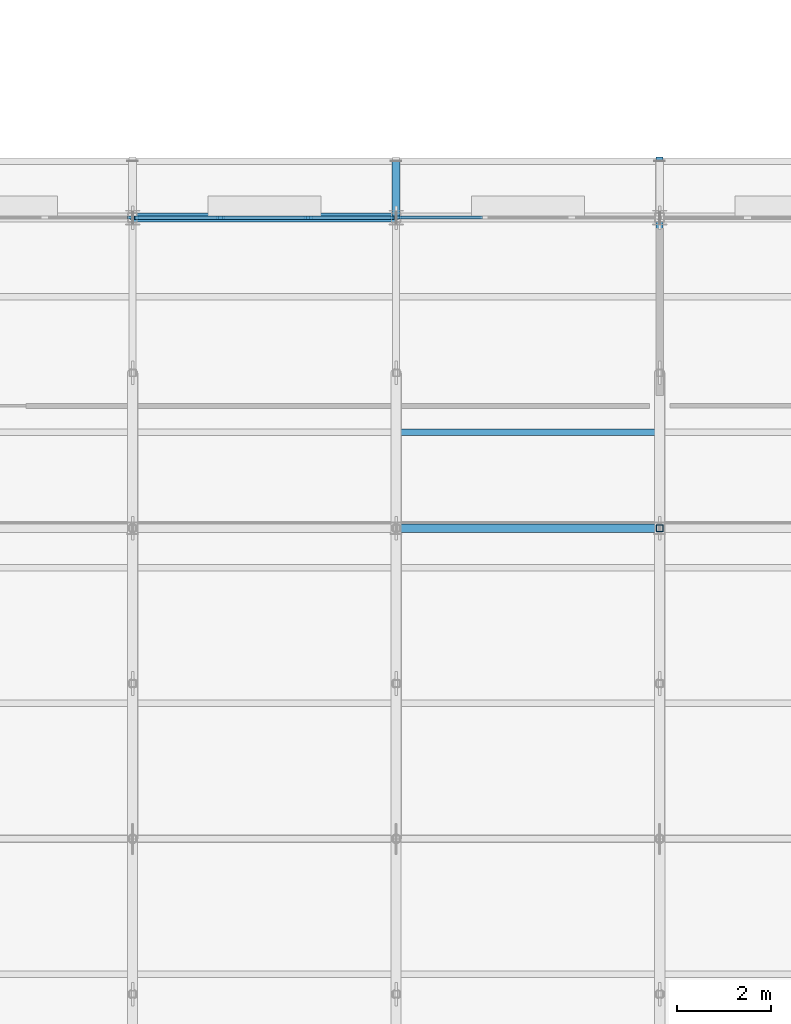
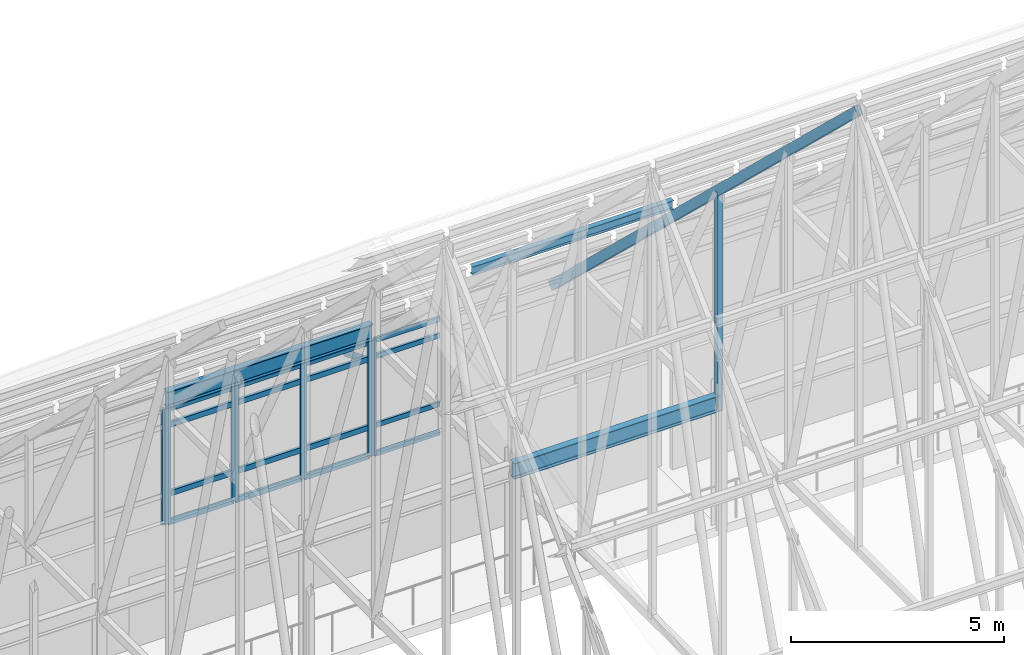
# One storey, part 39 of 144: 26 members, 2 beams, 3 elements without a shape of their own.
"""IFC4 building model written with IfcOpenShell, lengths in metres."""

from ifc_helpers import new_model, si_unit, direction, frame, origin, origin_2d, place, context, subcontext, project, spatial, rectangle, hollow_rectangle, hollow_circle, i_section, extrude, material, layer, layer_set, material_profile, profile_set, type_object, element, aggregate, save


model = new_model("IFC4")

# Units and contexts
model_context = context("Model", 3, precision=1e-05, world=origin(), true_north=direction((0.0, 1.0)))
body_context = subcontext(model_context, "Body", "Model", "MODEL_VIEW")
ifc_project = project(units=[si_unit("LENGTHUNIT", "METRE"), si_unit("AREAUNIT", "SQUARE_METRE"), si_unit("VOLUMEUNIT", "CUBIC_METRE"), si_unit("PLANEANGLEUNIT", "RADIAN"), si_unit("MASSUNIT", "GRAM", prefix="KILO")], contexts=[model_context])

# Site, building, storey
site_placement = place(None, origin())
site = spatial("IfcSite", under=ifc_project, at=site_placement, CompositionType="ELEMENT")
building_placement = place(site_placement, origin())
building = spatial("IfcBuilding", under=site, at=building_placement, Name="Trelmorton Wharf Fire Station", CompositionType="ELEMENT")
storey_placement = place(building_placement, frame((0.0, 0.0, 5.39990234375)))
storey = spatial("IfcBuildingStorey", under=building, at=storey_placement, Name="L01", CompositionType="ELEMENT", Elevation=5.39990234375)

# Curtain wall, member
ifc_material_1 = material(Name="Anodised aluminium AW-6063", Category="aluminium")
ifc_layer = layer(ifc_material_1, 0.175048828125)
ifc_layer_set = layer_set([ifc_layer], Name="Anodised aluminium AW-6063")
curtain_wall_type = type_object("IfcCurtainWallType", Name="CW_CHIC_B", PredefinedType="USERDEFINED", material=ifc_layer_set)
curtain_wall_1_placement = place(storey_placement, origin())
curtain_wall_1 = element("IfcCurtainWall", 1, at=curtain_wall_1_placement, inside=storey, type_object=curtain_wall_type, Name="CW-V1-L01-011", ObjectType="CHICAGO BAY CURTAIN WALL", PredefinedType="USERDEFINED")
ifc_material_profile_1 = material_profile(ifc_material_1, rectangle(XDim=0.06494140625, YDim=0.159912109375, at=origin_2d()), Name="ALU-65x160")
ifc_profile_set_1 = profile_set([ifc_material_profile_1], Name="Anodised aluminium AW-6063")
member_type_1 = type_object("IfcMemberType", Name="CWM_65x160", PredefinedType="MULLION", material=ifc_profile_set_1)
member_1_placement = place(storey_placement, frame((17.56494140625, 34.199951171875, 0.0), z_axis=(0.0, 0.0, 1.0), x_axis=(0.0, 1.0, 0.0)))
member_1 = element("IfcMember", 2, at=member_1_placement, type_object=member_type_1, Name="CW2 mullion 4", PredefinedType="MULLION", context=body_context, shape_type="SweptSolid", body=[
    extrude(rectangle(XDim=0.06494140625, YDim=0.159912109375, at=origin_2d()), origin(), (0.0, 0.0, 1.0), 3.320068359375),
])
aggregate(curtain_wall_1, [member_1])

curtain_wall_2_placement = place(storey_placement, origin())
curtain_wall_2 = element("IfcCurtainWall", 3, at=curtain_wall_2_placement, inside=storey, type_object=curtain_wall_type, Name="CW-V1-L01-013", ObjectType="CHICAGO BAY CURTAIN WALL", PredefinedType="USERDEFINED")
member_2_placement = place(storey_placement, frame((23.235107421875, 34.199951171875, 0.0), z_axis=(0.0, 0.0, 1.0), x_axis=(0.0, 1.0, 0.0)))
member_2 = element("IfcMember", 4, at=member_2_placement, type_object=member_type_1, Name="CW2 mullion 1", PredefinedType="MULLION", context=body_context, shape_type="SweptSolid", body=[
    extrude(rectangle(XDim=0.06494140625, YDim=0.159912109375, at=origin_2d()), origin(), (0.0, 0.0, 1.0), 3.320068359375),
])

# Curtain wall, members
curtain_wall_3_placement = place(storey_placement, origin())
curtain_wall_3 = element("IfcCurtainWall", 5, at=curtain_wall_3_placement, inside=storey, type_object=curtain_wall_type, Name="CW-V1-L01-012", ObjectType="CHICAGO BAY CURTAIN WALL", PredefinedType="USERDEFINED")
ifc_material_profile_2 = material_profile(ifc_material_1, rectangle(XDim=0.074951171875, YDim=0.175048828125, at=origin_2d()), Name="ALU-75x175")
ifc_profile_set_2 = profile_set([ifc_material_profile_2], Name="Anodised aluminium AW-6063")
member_type_2 = type_object("IfcMemberType", Name="CWM_75x175", PredefinedType="MULLION", material=ifc_profile_set_2)
member_3_placement = place(storey_placement, frame((17.635009765625, 34.199951171875, 0.0), z_axis=(0.0, 0.0, 1.0), x_axis=(0.0, 1.0, 0.0)))
member_3 = element("IfcMember", 6, at=member_3_placement, type_object=member_type_2, Name="CW2 mullion 1", PredefinedType="MULLION", context=body_context, shape_type="SweptSolid", body=[
    extrude(rectangle(XDim=0.074951171875, YDim=0.175048828125, at=origin_2d()), origin(), (0.0, 0.0, 1.0), 3.320068359375),
])
member_4_placement = place(storey_placement, frame((19.46826171875, 34.199951171875, 0.0), z_axis=(0.0, 0.0, 1.0), x_axis=(0.0, 1.0, 0.0)))
member_4 = element("IfcMember", 7, at=member_4_placement, type_object=member_type_2, Name="CW2 mullion 2", PredefinedType="MULLION", context=body_context, shape_type="SweptSolid", body=[
    extrude(rectangle(XDim=0.074951171875, YDim=0.175048828125, at=origin_2d()), origin(), (0.0, 0.0, 1.0), 3.320068359375),
])
member_5_placement = place(storey_placement, frame((21.331787109375, 34.199951171875, 0.0), z_axis=(0.0, 0.0, 1.0), x_axis=(0.0, 1.0, 0.0)))
member_5 = element("IfcMember", 8, at=member_5_placement, type_object=member_type_2, Name="CW2 mullion 3", PredefinedType="MULLION", context=body_context, shape_type="SweptSolid", body=[
    extrude(rectangle(XDim=0.074951171875, YDim=0.175048828125, at=origin_2d()), origin(), (0.0, 0.0, 1.0), 3.320068359375),
])
member_6_placement = place(storey_placement, frame((23.1650390625, 34.199951171875, 0.0), z_axis=(0.0, 0.0, 1.0), x_axis=(0.0, 1.0, 0.0)))
member_6 = element("IfcMember", 9, at=member_6_placement, type_object=member_type_2, Name="CW2 mullion 4", PredefinedType="MULLION", context=body_context, shape_type="SweptSolid", body=[
    extrude(rectangle(XDim=0.074951171875, YDim=0.175048828125, at=origin_2d()), origin(), (0.0, 0.0, 1.0), 3.320068359375),
])

# Member
ifc_material_profile_3 = material_profile(ifc_material_1, rectangle(XDim=0.06494140625, YDim=0.139892578125, at=origin_2d()), Name="ALU-65x140")
ifc_profile_set_3 = profile_set([ifc_material_profile_3], Name="Anodised aluminium AW-6063")
member_type_3 = type_object("IfcMemberType", Name="CWT_65x140", PredefinedType="USERDEFINED", material=ifc_profile_set_3)
member_7_placement = place(storey_placement, frame((23.264892578125, 34.199951171875, 0.030029296875), z_axis=(1.0, 0.0, 0.0), x_axis=(0.0, 1.0, 0.0)))
member_7 = element("IfcMember", 10, at=member_7_placement, type_object=member_type_3, Name="CW2 transom 1.1", ObjectType="TRANSOM", PredefinedType="USERDEFINED", context=body_context, shape_type="SweptSolid", body=[
    extrude(rectangle(XDim=0.06494140625, YDim=0.139892578125, at=origin_2d()), origin(), (0.0, 0.0, 1.0), 1.7734375),
])

member_8_placement = place(storey_placement, frame((23.264892578125, 34.199951171875, 0.85009765625), z_axis=(1.0, 0.0, 0.0), x_axis=(0.0, 1.0, 0.0)))
member_8 = element("IfcMember", 11, at=member_8_placement, type_object=member_type_3, Name="CW2 transom 1.2", ObjectType="TRANSOM", PredefinedType="USERDEFINED", context=body_context, shape_type="SweptSolid", body=[
    extrude(rectangle(XDim=0.06494140625, YDim=0.139892578125, at=origin_2d()), origin(), (0.0, 0.0, 1.0), 1.7734375),
])

member_9_placement = place(storey_placement, frame((23.264892578125, 34.199951171875, 2.820068359375), z_axis=(1.0, 0.0, 0.0), x_axis=(0.0, 1.0, 0.0)))
member_9 = element("IfcMember", 12, at=member_9_placement, type_object=member_type_3, Name="CW2 transom 1.3", ObjectType="TRANSOM", PredefinedType="USERDEFINED", context=body_context, shape_type="SweptSolid", body=[
    extrude(rectangle(XDim=0.06494140625, YDim=0.139892578125, at=origin_2d()), origin(), (0.0, 0.0, 1.0), 1.7734375),
])

member_10_placement = place(storey_placement, frame((23.264892578125, 34.199951171875, 3.2900390625), z_axis=(1.0, 0.0, 0.0), x_axis=(0.0, 1.0, 0.0)))
member_10 = element("IfcMember", 13, at=member_10_placement, type_object=member_type_3, Name="CW2 transom 1.4", ObjectType="TRANSOM", PredefinedType="USERDEFINED", context=body_context, shape_type="SweptSolid", body=[
    extrude(rectangle(XDim=0.06494140625, YDim=0.139892578125, at=origin_2d()), origin(), (0.0, 0.0, 1.0), 1.7734375),
])

aggregate(curtain_wall_2, [member_2, member_7, member_8, member_9, member_10])

ifc_material_profile_4 = material_profile(ifc_material_1, rectangle(XDim=0.074951171875, YDim=0.155029296875, at=origin_2d()), Name="ALU-75x155")
ifc_profile_set_4 = profile_set([ifc_material_profile_4], Name="Anodised aluminium AW-6063")
member_type_4 = type_object("IfcMemberType", Name="CWT_75x155", PredefinedType="USERDEFINED", material=ifc_profile_set_4)
member_11_placement = place(storey_placement, frame((17.6650390625, 34.199951171875, 0.030029296875), z_axis=(1.0, 0.0, 0.0), x_axis=(0.0, 1.0, 0.0)))
member_11 = element("IfcMember", 14, at=member_11_placement, type_object=member_type_4, Name="CW2 transom 1.1", ObjectType="TRANSOM", PredefinedType="USERDEFINED", context=body_context, shape_type="SweptSolid", body=[
    extrude(rectangle(XDim=0.074951171875, YDim=0.155029296875, at=origin_2d()), origin(), (0.0, 0.0, 1.0), 1.773193359375),
])

member_12_placement = place(storey_placement, frame((17.6650390625, 34.199951171875, 0.85009765625), z_axis=(1.0, 0.0, 0.0), x_axis=(0.0, 1.0, 0.0)))
member_12 = element("IfcMember", 15, at=member_12_placement, type_object=member_type_4, Name="CW2 transom 1.2", ObjectType="TRANSOM", PredefinedType="USERDEFINED", context=body_context, shape_type="SweptSolid", body=[
    extrude(rectangle(XDim=0.074951171875, YDim=0.155029296875, at=origin_2d()), origin(), (0.0, 0.0, 1.0), 1.773193359375),
])

member_13_placement = place(storey_placement, frame((17.6650390625, 34.199951171875, 2.820068359375), z_axis=(1.0, 0.0, 0.0), x_axis=(0.0, 1.0, 0.0)))
member_13 = element("IfcMember", 16, at=member_13_placement, type_object=member_type_4, Name="CW2 transom 1.3", ObjectType="TRANSOM", PredefinedType="USERDEFINED", context=body_context, shape_type="SweptSolid", body=[
    extrude(rectangle(XDim=0.074951171875, YDim=0.155029296875, at=origin_2d()), origin(), (0.0, 0.0, 1.0), 1.773193359375),
])

member_14_placement = place(storey_placement, frame((17.6650390625, 34.199951171875, 3.2900390625), z_axis=(1.0, 0.0, 0.0), x_axis=(0.0, 1.0, 0.0)))
member_14 = element("IfcMember", 17, at=member_14_placement, type_object=member_type_4, Name="CW2 transom 1.4", ObjectType="TRANSOM", PredefinedType="USERDEFINED", context=body_context, shape_type="SweptSolid", body=[
    extrude(rectangle(XDim=0.074951171875, YDim=0.155029296875, at=origin_2d()), origin(), (0.0, 0.0, 1.0), 1.773193359375),
])

member_15_placement = place(storey_placement, frame((19.498291015625, 34.199951171875, 0.030029296875), z_axis=(1.0, 0.0, 0.0), x_axis=(0.0, 1.0, 0.0)))
member_15 = element("IfcMember", 18, at=member_15_placement, type_object=member_type_4, Name="CW2 transom 2.1", ObjectType="TRANSOM", PredefinedType="USERDEFINED", context=body_context, shape_type="SweptSolid", body=[
    extrude(rectangle(XDim=0.074951171875, YDim=0.155029296875, at=origin_2d()), origin(), (0.0, 0.0, 1.0), 1.803466796875),
])

member_16_placement = place(storey_placement, frame((19.498291015625, 34.199951171875, 0.85009765625), z_axis=(1.0, 0.0, 0.0), x_axis=(0.0, 1.0, 0.0)))
member_16 = element("IfcMember", 19, at=member_16_placement, type_object=member_type_4, Name="CW2 transom 2.2", ObjectType="TRANSOM", PredefinedType="USERDEFINED", context=body_context, shape_type="SweptSolid", body=[
    extrude(rectangle(XDim=0.074951171875, YDim=0.155029296875, at=origin_2d()), origin(), (0.0, 0.0, 1.0), 1.803466796875),
])

member_17_placement = place(storey_placement, frame((19.498291015625, 34.199951171875, 2.820068359375), z_axis=(1.0, 0.0, 0.0), x_axis=(0.0, 1.0, 0.0)))
member_17 = element("IfcMember", 20, at=member_17_placement, type_object=member_type_4, Name="CW2 transom 2.3", ObjectType="TRANSOM", PredefinedType="USERDEFINED", context=body_context, shape_type="SweptSolid", body=[
    extrude(rectangle(XDim=0.074951171875, YDim=0.155029296875, at=origin_2d()), origin(), (0.0, 0.0, 1.0), 1.803466796875),
])

member_18_placement = place(storey_placement, frame((19.498291015625, 34.199951171875, 3.2900390625), z_axis=(1.0, 0.0, 0.0), x_axis=(0.0, 1.0, 0.0)))
member_18 = element("IfcMember", 21, at=member_18_placement, type_object=member_type_4, Name="CW2 transom 2.4", ObjectType="TRANSOM", PredefinedType="USERDEFINED", context=body_context, shape_type="SweptSolid", body=[
    extrude(rectangle(XDim=0.074951171875, YDim=0.155029296875, at=origin_2d()), origin(), (0.0, 0.0, 1.0), 1.803466796875),
])

member_19_placement = place(storey_placement, frame((21.361572265625, 34.199951171875, 0.030029296875), z_axis=(1.0, 0.0, 0.0), x_axis=(0.0, 1.0, 0.0)))
member_19 = element("IfcMember", 22, at=member_19_placement, type_object=member_type_4, Name="CW2 transom 3.1", ObjectType="TRANSOM", PredefinedType="USERDEFINED", context=body_context, shape_type="SweptSolid", body=[
    extrude(rectangle(XDim=0.074951171875, YDim=0.155029296875, at=origin_2d()), origin(), (0.0, 0.0, 1.0), 1.7734375),
])

member_20_placement = place(storey_placement, frame((21.361572265625, 34.199951171875, 0.85009765625), z_axis=(1.0, 0.0, 0.0), x_axis=(0.0, 1.0, 0.0)))
member_20 = element("IfcMember", 23, at=member_20_placement, type_object=member_type_4, Name="CW2 transom 3.2", ObjectType="TRANSOM", PredefinedType="USERDEFINED", context=body_context, shape_type="SweptSolid", body=[
    extrude(rectangle(XDim=0.074951171875, YDim=0.155029296875, at=origin_2d()), origin(), (0.0, 0.0, 1.0), 1.7734375),
])

member_21_placement = place(storey_placement, frame((21.361572265625, 34.199951171875, 2.820068359375), z_axis=(1.0, 0.0, 0.0), x_axis=(0.0, 1.0, 0.0)))
member_21 = element("IfcMember", 24, at=member_21_placement, type_object=member_type_4, Name="CW2 transom 3.3", ObjectType="TRANSOM", PredefinedType="USERDEFINED", context=body_context, shape_type="SweptSolid", body=[
    extrude(rectangle(XDim=0.074951171875, YDim=0.155029296875, at=origin_2d()), origin(), (0.0, 0.0, 1.0), 1.7734375),
])

member_22_placement = place(storey_placement, frame((21.361572265625, 34.199951171875, 3.2900390625), z_axis=(1.0, 0.0, 0.0), x_axis=(0.0, 1.0, 0.0)))
member_22 = element("IfcMember", 25, at=member_22_placement, type_object=member_type_4, Name="CW2 transom 3.4", ObjectType="TRANSOM", PredefinedType="USERDEFINED", context=body_context, shape_type="SweptSolid", body=[
    extrude(rectangle(XDim=0.074951171875, YDim=0.155029296875, at=origin_2d()), origin(), (0.0, 0.0, 1.0), 1.7734375),
])

aggregate(curtain_wall_3, [member_3, member_4, member_5, member_6, member_11, member_12, member_13, member_14, member_15, member_16, member_17, member_18, member_19, member_20, member_21, member_22])

ifc_material_2 = material(Name="Steel Grade 300 (300 MPa)", Category="steel")
ifc_material_profile_5 = material_profile(ifc_material_2, i_section(OverallWidth=0.14599609375, OverallDepth=0.256103515625, WebThickness=0.00634765625, FlangeThickness=0.010986328125, FilletRadius=0.0087890625, at=origin_2d()), Name="250UB37.3")
ifc_profile_set_5 = profile_set([ifc_material_profile_5], Name="Steel Grade 300 (300 MPa)")
member_type_5 = type_object("IfcMemberType", Name="PR_250UB37", PredefinedType="PURLIN", material=ifc_profile_set_5)
member_23_placement = place(storey_placement, frame((23.27197265625, 29.639892578125, 8.064453125), z_axis=(1.0, 0.0, 0.0), x_axis=(0.0, 1.0, 0.0)))
element("IfcMember", 26, at=member_23_placement, inside=storey, type_object=member_type_5, Name="V1-PR-B05-N3", PredefinedType="PURLIN", context=body_context, shape_type="SweptSolid", body=[
    extrude(i_section(OverallWidth=0.14599609375, OverallDepth=0.256103515625, WebThickness=0.00634765625, FlangeThickness=0.010986328125, FilletRadius=0.0087890625, at=origin_2d()), origin(), (0.0, 0.0, 1.0), 5.4560546875),
])

# Beams
ifc_material_3 = material(Name="Steel Grade 350", Category="steel")
ifc_material_profile_6 = material_profile(ifc_material_3, i_section(OverallWidth=0.18994140625, OverallDepth=0.45703125, WebThickness=0.009033203125, FlangeThickness=0.014404296875, FilletRadius=0.011474609375, at=origin_2d()), Name="460UB74.6")
ifc_profile_set_6 = profile_set([ifc_material_profile_6], Name="Steel Grade 350")
beam_type = type_object("IfcBeamType", Name="SP_460UB75", PredefinedType="SPANDREL", material=ifc_profile_set_6)
beam_1_placement = place(storey_placement, frame((23.2041015625, 27.60009765625, 3.591552734375), z_axis=(1.0, 0.0, 0.0), x_axis=(0.0, 1.0, 0.0)))
element("IfcBeam", 27, at=beam_1_placement, inside=storey, type_object=beam_type, Name="BM-L01-0456", PredefinedType="SPANDREL", context=body_context, shape_type="SweptSolid", body=[
    extrude(i_section(OverallWidth=0.18994140625, OverallDepth=0.45703125, WebThickness=0.009033203125, FlangeThickness=0.014404296875, FilletRadius=0.011474609375, at=origin_2d()), origin(), (0.0, 0.0, 1.0), 5.591796875),
])
beam_2_placement = place(storey_placement, frame((17.60400390625, 34.199951171875, 3.591552734375), z_axis=(1.0, 0.0, 0.0), x_axis=(0.0, 1.0, 0.0)))
element("IfcBeam", 28, at=beam_2_placement, inside=storey, type_object=beam_type, Name="BM-L01-0474", PredefinedType="SPANDREL", context=body_context, shape_type="SweptSolid", body=[
    extrude(i_section(OverallWidth=0.18994140625, OverallDepth=0.45703125, WebThickness=0.009033203125, FlangeThickness=0.014404296875, FilletRadius=0.011474609375, at=origin_2d()), origin(), (0.0, 0.0, 1.0), 5.592041015625),
])

# Members
ifc_material_4 = material(Name="Steel C350L0 (350 MPa)", Category="steel")
ifc_material_profile_7 = material_profile(ifc_material_4, hollow_circle(Radius=0.084228515625, WallThickness=0.007080078125, at=origin_2d()), Name="168.3x7.1CHS")
ifc_profile_set_7 = profile_set([ifc_material_profile_7], Name="Steel C350L0 (350 MPa)")
member_type_6 = type_object("IfcMemberType", Name="TR_DIAG_168CHS", PredefinedType="STRUT", material=ifc_profile_set_7)
member_24_placement = place(storey_placement, frame((23.199951171875, 34.199951171875, 2.7001953125), z_axis=(0.0, 0.924732639899, -0.380617320553), x_axis=(-1.0, 0.0, 0.0)))
element("IfcMember", 29, at=member_24_placement, inside=storey, type_object=member_type_6, Name="V1-TR05-EAV-N", PredefinedType="STRUT", context=body_context, shape_type="SweptSolid", body=[
    extrude(hollow_circle(Radius=0.084228515625, WallThickness=0.007080078125, at=origin_2d()), origin(), (0.0, 0.0, 1.0), 1.297607421875),
])
ifc_material_profile_8 = material_profile(ifc_material_4, hollow_rectangle(XDim=0.14990234375, YDim=0.14990234375, WallThickness=0.009033203125, at=origin_2d()), Name="150x150x9.0SHS")
ifc_profile_set_8 = profile_set([ifc_material_profile_8], Name="Steel C350L0 (350 MPa)")
member_type_7 = type_object("IfcMemberType", Name="TR_POST_150SHS", PredefinedType="POST", material=ifc_profile_set_8)
member_25_placement = place(storey_placement, frame((28.800048828125, 27.60009765625, 3.351806640625), z_axis=(0.0, 0.0, 1.0), x_axis=(1.0, 0.0, 0.0)))
element("IfcMember", 30, at=member_25_placement, inside=storey, type_object=member_type_7, Name="V1-TR06-VP-N2", PredefinedType="POST", context=body_context, shape_type="SweptSolid", body=[
    extrude(hollow_rectangle(XDim=0.14990234375, YDim=0.14990234375, WallThickness=0.009033203125, at=origin_2d()), origin(), (0.0, 0.0, 1.0), 6.300048828125),
])
ifc_material_profile_9 = material_profile(ifc_material_4, hollow_rectangle(XDim=0.14990234375, YDim=0.25, WallThickness=0.009033203125, at=origin_2d()), Name="250x150x9.0RHS")
ifc_profile_set_9 = profile_set([ifc_material_profile_9], Name="Steel C350L0 (350 MPa)")
member_type_8 = type_object("IfcMemberType", Name="TR_RAFT_250RHS", PredefinedType="RAFTER", material=ifc_profile_set_9)
member_26_placement = place(storey_placement, frame((28.800048828125, 21.0, 15.951904296875), z_axis=(0.0, 0.723349418794, -0.690482163659), x_axis=(-1.0, 0.0, 0.0)))
element("IfcMember", 31, at=member_26_placement, inside=storey, type_object=member_type_8, Name="V1-TR06-RFN", PredefinedType="RAFTER", context=body_context, shape_type="SweptSolid", body=[
    extrude(hollow_rectangle(XDim=0.14990234375, YDim=0.25, WallThickness=0.009033203125, at=origin_2d()), origin(), (0.0, 0.0, 1.0), 19.9072265625),
])

save(model, "model.ifc")
